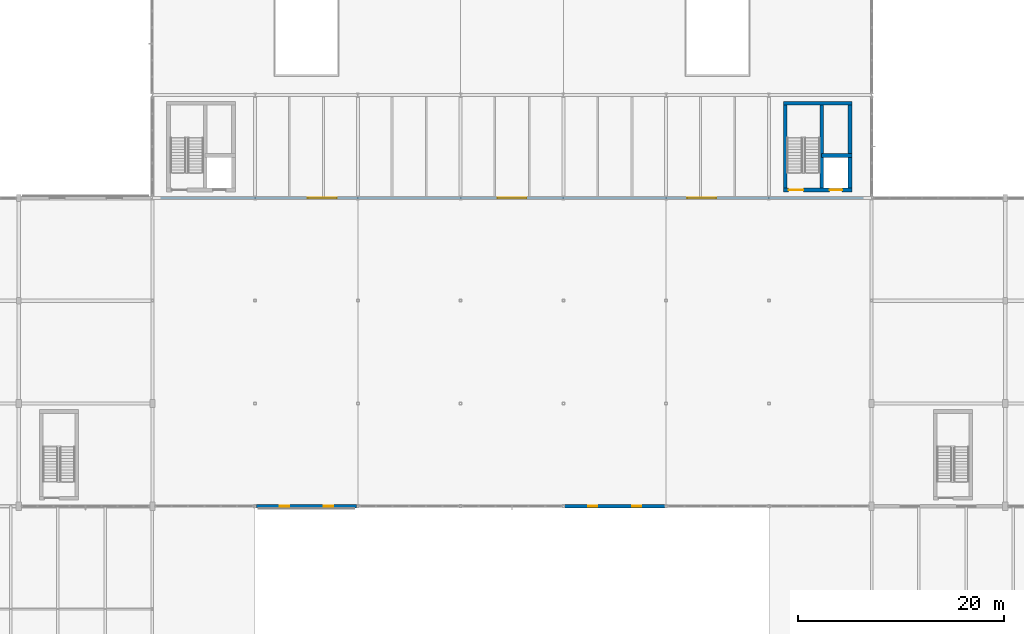
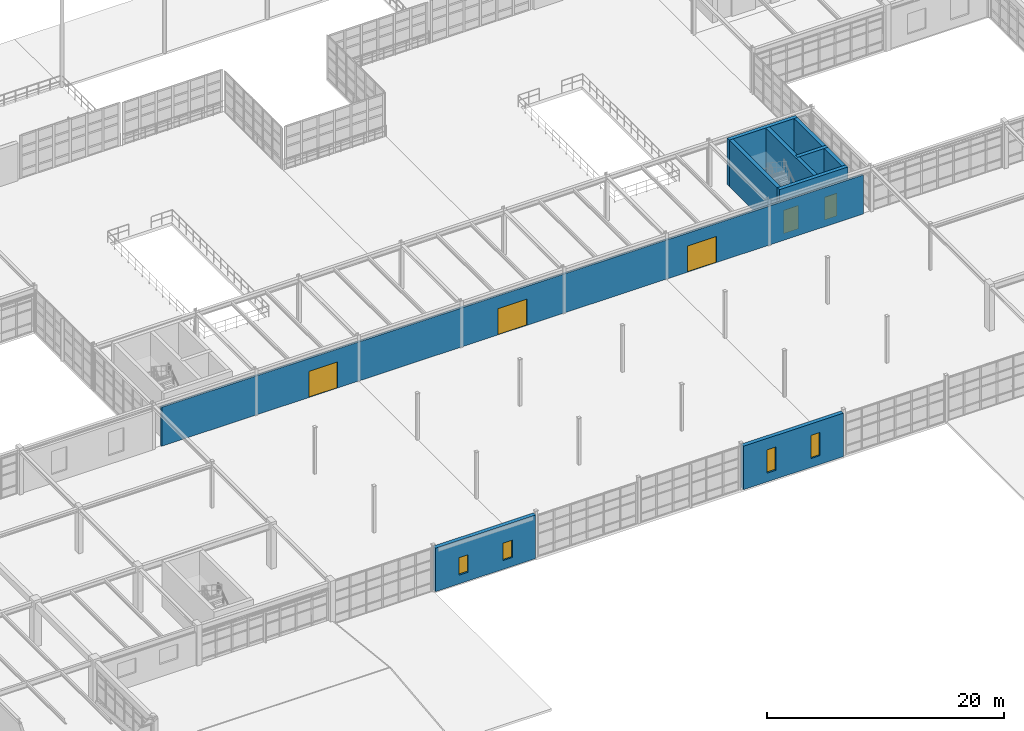
# One storey, part 118 of 139: 9 walls, 5 doors, 4 windows, 9 openings.
"""IFC4 building model written with IfcOpenShell, lengths in metres."""

from ifc_helpers import new_model, si_unit, direction, frame, frame_2d, origin, place, context, subcontext, project, spatial, rectangle, extrude, material, layer, layer_set, type_object, element, fill, save


model = new_model("IFC4")

# Units and contexts
model_context = context("Model", 3, precision=1e-05, world=origin(), true_north=direction((0.0, 1.0)))
body_context = subcontext(model_context, "Body", "Model", "MODEL_VIEW")
ifc_project = project(units=[si_unit("LENGTHUNIT", "METRE"), si_unit("AREAUNIT", "SQUARE_METRE"), si_unit("VOLUMEUNIT", "CUBIC_METRE"), si_unit("PLANEANGLEUNIT", "RADIAN"), si_unit("MASSUNIT", "GRAM", prefix="KILO"), si_unit("THERMODYNAMICTEMPERATUREUNIT", "KELVIN"), si_unit("POWERUNIT", "WATT")], contexts=[model_context])

# Site, building, storey
site_placement = place(None, origin())
site = spatial("IfcSite", under=ifc_project, at=site_placement, CompositionType="ELEMENT")
building_placement = place(site_placement, origin())
building = spatial("IfcBuilding", under=site, at=building_placement, Name="Korenveer Ferry Terminal", CompositionType="ELEMENT")
storey_placement = place(building_placement, frame((0.0, 0.0, 5.39990234375)))
storey = spatial("IfcBuildingStorey", under=building, at=storey_placement, Name="L01", CompositionType="ELEMENT", Elevation=5.39990234375)

# Wall, openings, windows
ifc_material_1 = material(Name="Insulated clinker brick masonry", Category="masonry")
ifc_layer_1 = layer(ifc_material_1, 0.3798828125)
ifc_layer_set_1 = layer_set([ifc_layer_1], Name="Insulated clinker brick masonry")
wall_type_1 = type_object("IfcWallType", Name="ENV-WL-BRK380", PredefinedType="SOLIDWALL", material=ifc_layer_set_1)
wall_1_placement = place(storey_placement, frame((63.125, 20.0, 0.0), z_axis=(0.0, 0.0, 1.0), x_axis=(1.0, 0.0, 0.0)))
wall_1 = element("IfcWall", 1, at=wall_1_placement, inside=storey, type_object=wall_type_1, Name="Exterior facade wall EWL-L01-040", PredefinedType="SOLIDWALL", context=body_context, shape_type="SweptSolid", body=[
    extrude(rectangle(XDim=9.75, YDim=0.3798828125, at=frame_2d((4.875, 0.0))), origin(), (0.0, 0.0, 1.0), 4.47998046875),
])
opening_1_placement = place(wall_1_placement, frame((2.280029296875, 0.0, 0.89990234375)))
opening_1 = element("IfcOpeningElement", 2, at=opening_1_placement, cuts=wall_1, Name="Opening WN-02", PredefinedType="OPENING", context=body_context, shape_type="SweptSolid", body=[
    extrude(rectangle(XDim=0.89990234375, YDim=1.800048828125, at=frame_2d((0.449951171875, 0.89990234375))), frame((0.0, 0.199951171875, 0.0), z_axis=(0.0, -1.0, 0.0), x_axis=(1.0, 0.0, 0.0)), (0.0, 0.0, 1.0), 0.39990234375),
])
opening_2_placement = place(wall_1_placement, frame((6.570068359375, 0.0, 0.89990234375)))
opening_2 = element("IfcOpeningElement", 3, at=opening_2_placement, cuts=wall_1, Name="Opening WN-02", PredefinedType="OPENING", context=body_context, shape_type="SweptSolid", body=[
    extrude(rectangle(XDim=0.89990234375, YDim=1.800048828125, at=frame_2d((0.449951171875, 0.89990234375))), frame((0.0, 0.199951171875, 0.0), z_axis=(0.0, -1.0, 0.0), x_axis=(1.0, 0.0, 0.0)), (0.0, 0.0, 1.0), 0.39990234375),
])
ifc_material_2 = material(Name="Low-iron triple glazing in bronze frame", Category="glass")
window_type_1 = type_object("IfcWindowType", Name="ENV-WN-02", PartitioningType="SINGLE_PANEL", PredefinedType="WINDOW", material=ifc_material_2)
window_1_placement = place(opening_1_placement, origin())
window_1 = element("IfcWindow", 4, at=window_1_placement, inside=storey, type_object=window_type_1, Name="Lancet facade window 35", OverallHeight=1.800048828125, OverallWidth=0.89990234375, PartitioningType="SINGLE_PANEL", PredefinedType="WINDOW", context=body_context, shape_type="SweptSolid", body=[
    extrude(rectangle(XDim=0.89990234375, YDim=1.800048828125, at=frame_2d((0.449951171875, 0.89990234375))), frame((0.0, 0.030029296875, 0.0), z_axis=(0.0, -1.0, 0.0), x_axis=(1.0, 0.0, 0.0)), (0.0, 0.0, 1.0), 0.06005859375),
])
fill(opening_1, window_1)
window_2_placement = place(opening_2_placement, origin())
window_2 = element("IfcWindow", 5, at=window_2_placement, inside=storey, type_object=window_type_1, Name="Lancet facade window 36", OverallHeight=1.800048828125, OverallWidth=0.89990234375, PartitioningType="SINGLE_PANEL", PredefinedType="WINDOW", context=body_context, shape_type="SweptSolid", body=[
    extrude(rectangle(XDim=0.89990234375, YDim=1.800048828125, at=frame_2d((0.449951171875, 0.89990234375))), frame((0.0, 0.030029296875, 0.0), z_axis=(0.0, -1.0, 0.0), x_axis=(1.0, 0.0, 0.0)), (0.0, 0.0, 1.0), 0.06005859375),
])
fill(opening_2, window_2)

wall_2_placement = place(storey_placement, frame((93.125, 20.0, 0.0), z_axis=(0.0, 0.0, 1.0), x_axis=(1.0, 0.0, 0.0)))
wall_2 = element("IfcWall", 6, at=wall_2_placement, inside=storey, type_object=wall_type_1, Name="Exterior facade wall EWL-L01-041", PredefinedType="SOLIDWALL", context=body_context, shape_type="SweptSolid", body=[
    extrude(rectangle(XDim=9.75, YDim=0.3798828125, at=frame_2d((4.875, 0.0))), origin(), (0.0, 0.0, 1.0), 4.47998046875),
])
opening_3_placement = place(wall_2_placement, frame((2.280029296875, 0.0, 0.89990234375)))
opening_3 = element("IfcOpeningElement", 7, at=opening_3_placement, cuts=wall_2, Name="Opening WN-04", PredefinedType="OPENING", context=body_context, shape_type="SweptSolid", body=[
    extrude(rectangle(XDim=0.89990234375, YDim=2.39990234375, at=frame_2d((0.449951171875, 1.199951171875))), frame((0.0, 0.199951171875, 0.0), z_axis=(0.0, -1.0, 0.0), x_axis=(1.0, 0.0, 0.0)), (0.0, 0.0, 1.0), 0.39990234375),
])
opening_4_placement = place(wall_2_placement, frame((6.570068359375, 0.0, 0.89990234375)))
opening_4 = element("IfcOpeningElement", 8, at=opening_4_placement, cuts=wall_2, Name="Opening WN-04", PredefinedType="OPENING", context=body_context, shape_type="SweptSolid", body=[
    extrude(rectangle(XDim=0.89990234375, YDim=2.39990234375, at=frame_2d((0.449951171875, 1.199951171875))), frame((0.0, 0.199951171875, 0.0), z_axis=(0.0, -1.0, 0.0), x_axis=(1.0, 0.0, 0.0)), (0.0, 0.0, 1.0), 0.39990234375),
])
window_type_2 = type_object("IfcWindowType", Name="ENV-WN-04", PartitioningType="SINGLE_PANEL", PredefinedType="WINDOW", material=ifc_material_2)
window_3_placement = place(opening_3_placement, origin())
window_3 = element("IfcWindow", 9, at=window_3_placement, inside=storey, type_object=window_type_2, Name="Lancet facade window 37", OverallHeight=2.39990234375, OverallWidth=0.89990234375, PartitioningType="SINGLE_PANEL", PredefinedType="WINDOW", context=body_context, shape_type="SweptSolid", body=[
    extrude(rectangle(XDim=0.89990234375, YDim=2.39990234375, at=frame_2d((0.449951171875, 1.199951171875))), frame((0.0, 0.030029296875, 0.0), z_axis=(0.0, -1.0, 0.0), x_axis=(1.0, 0.0, 0.0)), (0.0, 0.0, 1.0), 0.06005859375),
])
fill(opening_3, window_3)
window_4_placement = place(opening_4_placement, origin())
window_4 = element("IfcWindow", 10, at=window_4_placement, inside=storey, type_object=window_type_2, Name="Lancet facade window 38", OverallHeight=2.39990234375, OverallWidth=0.89990234375, PartitioningType="SINGLE_PANEL", PredefinedType="WINDOW", context=body_context, shape_type="SweptSolid", body=[
    extrude(rectangle(XDim=0.89990234375, YDim=2.39990234375, at=frame_2d((0.449951171875, 1.199951171875))), frame((0.0, 0.030029296875, 0.0), z_axis=(0.0, -1.0, 0.0), x_axis=(1.0, 0.0, 0.0)), (0.0, 0.0, 1.0), 0.06005859375),
])
fill(opening_4, window_4)

# Wall, openings, doors
ifc_material_3 = material(Name="Acoustic fire-rated twin-stud partition", Category="other")
ifc_layer_2 = layer(ifc_material_3, 0.199951171875)
ifc_layer_set_2 = layer_set([ifc_layer_2], Name="Acoustic fire-rated twin-stud partition")
wall_type_2 = type_object("IfcWallType", Name="INT-WL-COMP200", PredefinedType="PARTITIONING", material=ifc_layer_set_2)
wall_3_placement = place(storey_placement, frame((53.800048828125, 50.0, 0.0), z_axis=(0.0, 0.0, 1.0), x_axis=(1.0, 0.0, 0.0)))
wall_3 = element("IfcWall", 11, at=wall_3_placement, inside=storey, type_object=wall_type_2, Name="Interior partition PWL-L01-029", PredefinedType="PARTITIONING", context=body_context, shape_type="SweptSolid", body=[
    extrude(rectangle(XDim=68.39990234375, YDim=0.199951171875, at=frame_2d((34.199951171875, 0.0))), origin(), (0.0, 0.0, 1.0), 4.02001953125),
])
opening_5_placement = place(wall_3_placement, frame((14.33203125, 0.0, 0.0)))
opening_5 = element("IfcOpeningElement", 12, at=opening_5_placement, cuts=wall_3, Name="Opening ID-035", PredefinedType="OPENING", context=body_context, shape_type="SweptSolid", body=[
    extrude(rectangle(XDim=2.800048828125, YDim=2.699951171875, at=frame_2d((1.39990234375, 1.35009765625))), frame((0.0, 0.10986328125, 0.0), z_axis=(0.0, -1.0, 0.0), x_axis=(1.0, 0.0, 0.0)), (0.0, 0.0, 1.0), 0.219970703125),
])
opening_6_placement = place(wall_3_placement, frame((32.800048828125, 0.0, 0.0)))
opening_6 = element("IfcOpeningElement", 13, at=opening_6_placement, cuts=wall_3, Name="Opening ID-036", PredefinedType="OPENING", context=body_context, shape_type="SweptSolid", body=[
    extrude(rectangle(XDim=2.800048828125, YDim=2.699951171875, at=frame_2d((1.39990234375, 1.35009765625))), frame((0.0, 0.10986328125, 0.0), z_axis=(0.0, -1.0, 0.0), x_axis=(1.0, 0.0, 0.0)), (0.0, 0.0, 1.0), 0.219970703125),
])
opening_7_placement = place(wall_3_placement, frame((51.26806640625, 0.0, 0.0)))
opening_7 = element("IfcOpeningElement", 14, at=opening_7_placement, cuts=wall_3, Name="Opening ID-037", PredefinedType="OPENING", context=body_context, shape_type="SweptSolid", body=[
    extrude(rectangle(XDim=2.800048828125, YDim=2.699951171875, at=frame_2d((1.39990234375, 1.35009765625))), frame((0.0, 0.10986328125, 0.0), z_axis=(0.0, -1.0, 0.0), x_axis=(1.0, 0.0, 0.0)), (0.0, 0.0, 1.0), 0.219970703125),
])
ifc_material_4 = material(Name="Solid hardwood and steel acoustic door", Category="steel")
door_type_1 = type_object("IfcDoorType", Name="INT-DR-CON280", OperationType="DOUBLE_DOOR_SINGLE_SWING", PredefinedType="DOOR", material=ifc_material_4)
door_1_placement = place(opening_5_placement, origin())
door_1 = element("IfcDoor", 15, at=door_1_placement, inside=storey, type_object=door_type_1, Name="Passport to Main Departure Hall West Portal", OperationType="DOUBLE_DOOR_SINGLE_SWING", OverallHeight=2.699951171875, OverallWidth=2.800048828125, PredefinedType="DOOR", context=body_context, shape_type="SweptSolid", body=[
    extrude(rectangle(XDim=2.800048828125, YDim=2.699951171875, at=frame_2d((1.39990234375, 1.35009765625))), frame((0.0, 0.02490234375, 0.0), z_axis=(0.0, -1.0, 0.0), x_axis=(1.0, 0.0, 0.0)), (0.0, 0.0, 1.0), 0.050048828125),
])
fill(opening_5, door_1)
door_2_placement = place(opening_6_placement, origin())
door_2 = element("IfcDoor", 16, at=door_2_placement, inside=storey, type_object=door_type_1, Name="Security to Main Departure Hall Central Portal", OperationType="DOUBLE_DOOR_SINGLE_SWING", OverallHeight=2.699951171875, OverallWidth=2.800048828125, PredefinedType="DOOR", context=body_context, shape_type="SweptSolid", body=[
    extrude(rectangle(XDim=2.800048828125, YDim=2.699951171875, at=frame_2d((1.39990234375, 1.35009765625))), frame((0.0, 0.02490234375, 0.0), z_axis=(0.0, -1.0, 0.0), x_axis=(1.0, 0.0, 0.0)), (0.0, 0.0, 1.0), 0.050048828125),
])
fill(opening_6, door_2)
door_3_placement = place(opening_7_placement, origin())
door_3 = element("IfcDoor", 17, at=door_3_placement, inside=storey, type_object=door_type_1, Name="Border to Main Departure Hall East Portal", OperationType="DOUBLE_DOOR_SINGLE_SWING", OverallHeight=2.699951171875, OverallWidth=2.800048828125, PredefinedType="DOOR", context=body_context, shape_type="SweptSolid", body=[
    extrude(rectangle(XDim=2.800048828125, YDim=2.699951171875, at=frame_2d((1.39990234375, 1.35009765625))), frame((0.0, 0.02490234375, 0.0), z_axis=(0.0, -1.0, 0.0), x_axis=(1.0, 0.0, 0.0)), (0.0, 0.0, 1.0), 0.050048828125),
])
fill(opening_7, door_3)

ifc_material_5 = material(Name="Concrete C45/55", Category="concrete")
ifc_layer_3 = layer(ifc_material_5, 0.360107421875)
ifc_layer_set_3 = layer_set([ifc_layer_3], Name="Concrete C45/55")
wall_type_3 = type_object("IfcWallType", Name="INT-WL-CORE360", PredefinedType="SHEAR", material=ifc_layer_set_3)
wall_4_placement = place(storey_placement, frame((114.39990234375, 50.780029296875, 0.0), z_axis=(0.0, 0.0, 1.0), x_axis=(1.0, 0.0, 0.0)))
wall_4 = element("IfcWall", 18, at=wall_4_placement, inside=storey, type_object=wall_type_3, Name="Departure East Core K6 south shear wall L01", PredefinedType="SHEAR", context=body_context, shape_type="SweptSolid", body=[
    extrude(rectangle(XDim=6.68017578125, YDim=0.360107421875, at=frame_2d((3.340087890625, 0.0))), origin(), (0.0, 0.0, 1.0), 4.800048828125),
])
opening_8_placement = place(wall_4_placement, frame((0.510009765625, 0.0, 0.0)))
opening_8 = element("IfcOpeningElement", 19, at=opening_8_placement, cuts=wall_4, Name="Opening SD-21", PredefinedType="OPENING", context=body_context, shape_type="SweptSolid", body=[
    extrude(rectangle(XDim=1.449951171875, YDim=2.39990234375, at=frame_2d((0.72509765625, 1.199951171875))), frame((0.0, 0.18994140625, 0.0), z_axis=(0.0, -1.0, 0.0), x_axis=(1.0, 0.0, 0.0)), (0.0, 0.0, 1.0), 0.380126953125),
])
opening_9_placement = place(wall_4_placement, frame((4.52001953125, 0.0, 0.0)))
opening_9 = element("IfcOpeningElement", 20, at=opening_9_placement, cuts=wall_4, Name="Opening LD-21", PredefinedType="OPENING", context=body_context, shape_type="SweptSolid", body=[
    extrude(rectangle(XDim=1.199951171875, YDim=2.35009765625, at=frame_2d((0.60009765625, 1.175048828125))), frame((0.0, 0.18994140625, 0.0), z_axis=(0.0, -1.0, 0.0), x_axis=(1.0, 0.0, 0.0)), (0.0, 0.0, 1.0), 0.380126953125),
])
door_type_2 = type_object("IfcDoorType", Name="INT-DR-LD120", OperationType="SLIDING_TO_LEFT", PredefinedType="DOOR", material=ifc_material_4)
door_4_placement = place(opening_9_placement, origin())
door_4 = element("IfcDoor", 21, at=door_4_placement, inside=storey, type_object=door_type_2, Name="Lift LP4 Sliding Landing Door L01", OperationType="SLIDING_TO_LEFT", OverallHeight=2.35009765625, OverallWidth=1.199951171875, PredefinedType="DOOR", context=body_context, shape_type="SweptSolid", body=[
    extrude(rectangle(XDim=1.199951171875, YDim=2.35009765625, at=frame_2d((0.60009765625, 1.175048828125))), frame((0.0, 0.02490234375, 0.0), z_axis=(0.0, -1.0, 0.0), x_axis=(1.0, 0.0, 0.0)), (0.0, 0.0, 1.0), 0.050048828125),
])
fill(opening_9, door_4)
door_type_3 = type_object("IfcDoorType", Name="INT-DR-ST145", OperationType="NOTDEFINED", PredefinedType="DOOR", material=ifc_material_4)
door_5_placement = place(opening_8_placement, origin())
door_5 = element("IfcDoor", 22, at=door_5_placement, inside=storey, type_object=door_type_3, Name="ST06 Stair Door L01", OperationType="SINGLE_SWING_LEFT", OverallHeight=2.39990234375, OverallWidth=1.449951171875, PredefinedType="DOOR", context=body_context, shape_type="SweptSolid", body=[
    extrude(rectangle(XDim=1.449951171875, YDim=2.39990234375, at=frame_2d((0.72509765625, 1.199951171875))), frame((0.0, 0.02490234375, 0.0), z_axis=(0.0, -1.0, 0.0), x_axis=(1.0, 0.0, 0.0)), (0.0, 0.0, 1.0), 0.050048828125),
])
fill(opening_8, door_5)

# Walls
wall_5_placement = place(storey_placement, frame((114.39990234375, 59.219970703125, 0.0), z_axis=(0.0, 0.0, 1.0), x_axis=(1.0, 0.0, 0.0)))
element("IfcWall", 23, at=wall_5_placement, inside=storey, type_object=wall_type_3, Name="Departure East Core K6 north shear wall L01", PredefinedType="SHEAR", context=body_context, shape_type="SweptSolid", body=[
    extrude(rectangle(XDim=6.68017578125, YDim=0.360107421875, at=frame_2d((3.340087890625, 0.0))), origin(), (0.0, 0.0, 1.0), 4.800048828125),
])
for number, where, z_axis, x_axis, name in (
    (24, (114.580078125, 50.60009765625, 0.0), (0.0, 0.0, 1.0), (0.0, 1.0, 0.0), "Departure East Core K6 west shear wall L01"),
    (25, (120.89990234375, 50.60009765625, 0.0), (0.0, 0.0, 1.0), (0.0, 1.0, 0.0), "Departure East Core K6 east shear wall L01"),
    (26, (118.139892578125, 50.60009765625, 0.0), (0.0, 0.0, 1.0), (0.0, 1.0, 0.0), "Departure East Core K6 shaft divider wall L01"),
):
    element("IfcWall", number, at=place(storey_placement, frame(where, z_axis=z_axis, x_axis=x_axis)), inside=storey, type_object=wall_type_3, Name=name, PredefinedType="SHEAR", context=body_context, shape_type="SweptSolid", body=[
        extrude(rectangle(XDim=8.7998046875, YDim=0.360107421875, at=frame_2d((4.39990234375, 0.0))), origin(), (0.0, 0.0, 1.0), 4.800048828125),
    ])
wall_6_placement = place(storey_placement, frame((118.139892578125, 54.139892578125, 0.0), z_axis=(0.0, 0.0, 1.0), x_axis=(1.0, 0.0, 0.0)))
element("IfcWall", 27, at=wall_6_placement, inside=storey, type_object=wall_type_3, Name="Departure East Core K6 lift shaft wall L01", PredefinedType="SHEAR", context=body_context, shape_type="SweptSolid", body=[
    extrude(rectangle(XDim=2.940185546875, YDim=0.360107421875, at=frame_2d((1.47021484375, 0.0))), origin(), (0.0, 0.0, 1.0), 4.800048828125),
])

save(model, "model.ifc")
